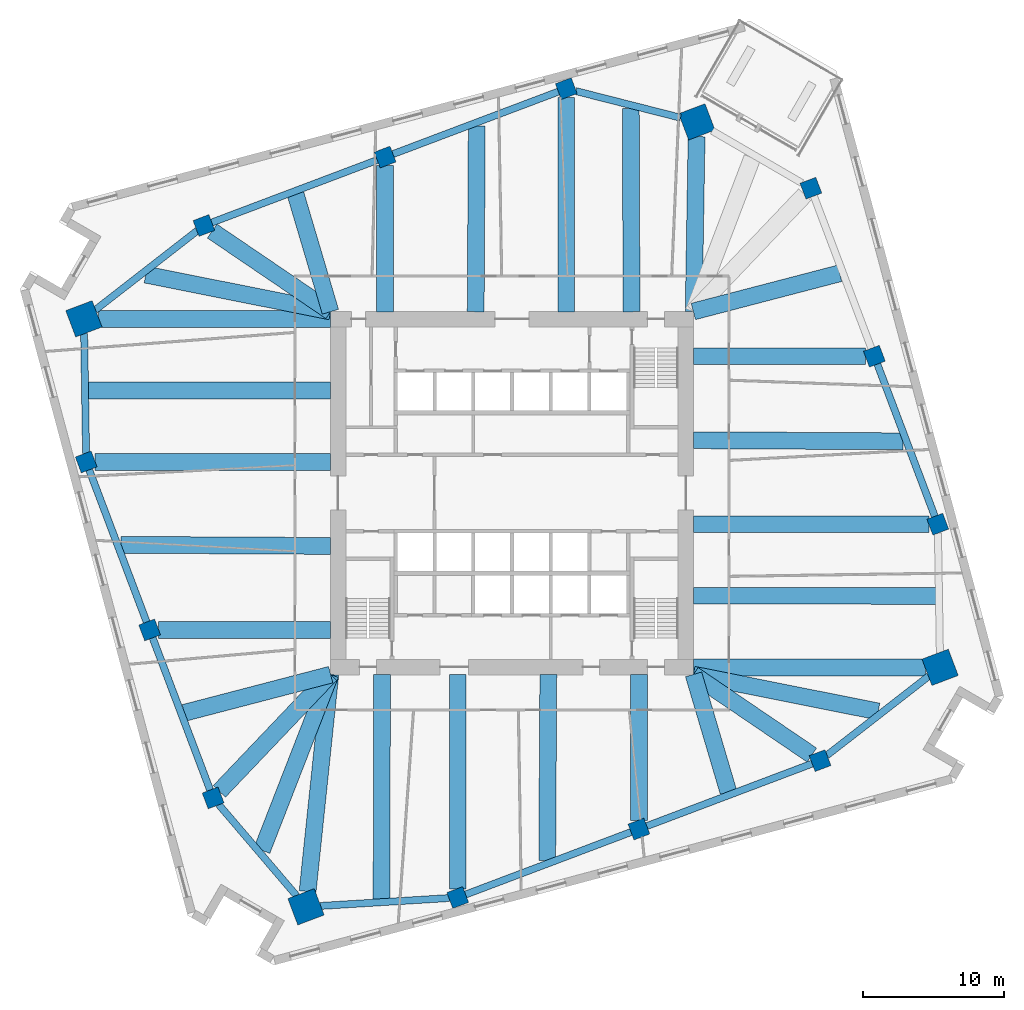
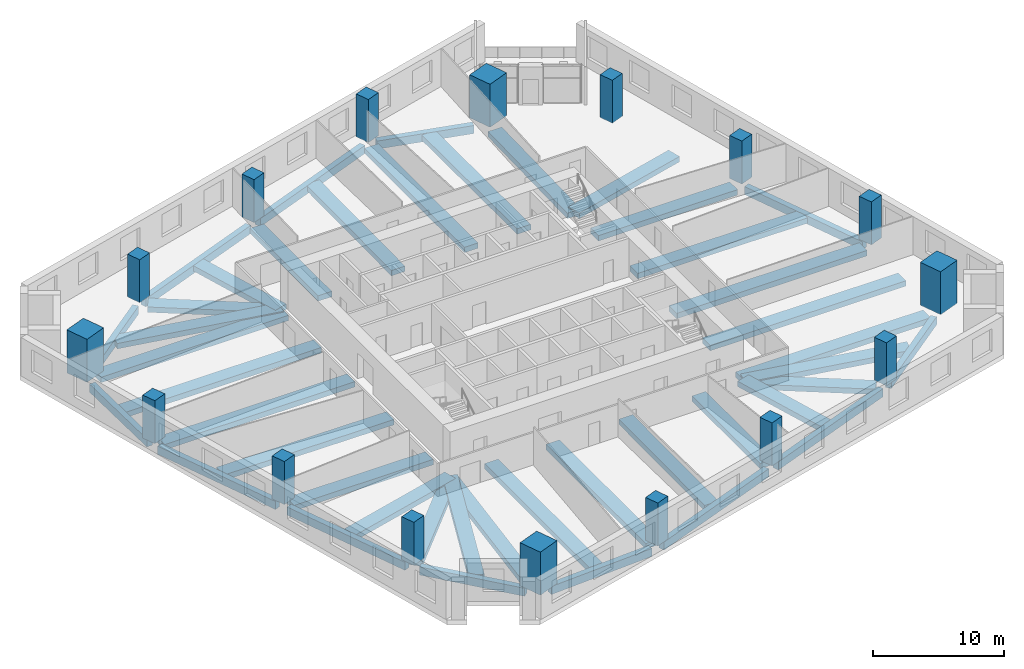
# One storey, part 1 of 13: 43 beams, 16 columns.
"""IFC4 building model written with IfcOpenShell, lengths in metres."""

from ifc_helpers import new_model, si_unit, direction, frame, origin, origin_2d, place, context, subcontext, project, spatial, rectangle, extrude, material, material_profile, profile_set, type_object, element, save


model = new_model("IFC4")

# Units and contexts
model_context = context("Model", 3, precision=1e-05, world=origin(), true_north=direction((0.0, 1.0)))
body_context = subcontext(model_context, "Body", "Model", "MODEL_VIEW")
ifc_project = project(units=[si_unit("LENGTHUNIT", "METRE"), si_unit("AREAUNIT", "SQUARE_METRE"), si_unit("VOLUMEUNIT", "CUBIC_METRE"), si_unit("PLANEANGLEUNIT", "RADIAN"), si_unit("MASSUNIT", "GRAM", prefix="KILO")], contexts=[model_context])

# Site, building, storey
site_placement = place(None, origin())
site = spatial("IfcSite", under=ifc_project, at=site_placement, CompositionType="ELEMENT")
building_placement = place(site_placement, origin())
building = spatial("IfcBuilding", under=site, at=building_placement, Name="Dilmun Exchange Tower", CompositionType="ELEMENT")
storey_placement = place(building_placement, frame((0.0, 0.0, 86.10009765625)))
storey = spatial("IfcBuildingStorey", under=building, at=storey_placement, Name="L19", CompositionType="ELEMENT", Elevation=86.10009765625)

# Columns
ifc_material_1 = material(Name="Concrete C70/85", Category="concrete")
ifc_material_profile_1 = material_profile(ifc_material_1, rectangle(XDim=2.0, YDim=2.0, at=origin_2d()), Name="2000 x 2000")
ifc_profile_set_1 = profile_set([ifc_material_profile_1], Name="Concrete C70/85")
column_type_1 = type_object("IfcColumnType", Name="RC mega column 2000 x 2000 C70/85", PredefinedType="COLUMN", material=ifc_profile_set_1)
for number, where, z_axis, x_axis, name in (
    (1, (13.1220703125, 26.35400390625, 0.0), (0.0, 0.0, 1.0), (0.935491525991, 0.353349125935, 0.0), "Mega column M1"),
    (2, (-30.39404296875, 12.37109375, 0.0), (0.0, 0.0, 1.0), (0.935491525991, 0.353349125935, 0.0), "Mega column M2"),
    (3, (-14.6259765625, -29.3759765625, 0.0), (0.0, 0.0, 1.0), (0.935491525991, 0.353349125935, 0.0), "Mega column M3"),
    (4, (30.39404296875, -12.37109375, 0.0), (0.0, 0.0, 1.0), (0.935491525991, 0.353349125935, 0.0), "Mega column M4"),
):
    element("IfcColumn", number, at=place(storey_placement, frame(where, z_axis=z_axis, x_axis=x_axis)), inside=storey, type_object=column_type_1, Name=name, PredefinedType="COLUMN", context=body_context, shape_type="SweptSolid", body=[
        extrude(rectangle(XDim=2.0, YDim=2.0, at=origin_2d()), origin(), (0.0, 0.0, 1.0), 4.0),
    ])
ifc_material_profile_2 = material_profile(ifc_material_1, rectangle(XDim=1.199951171875, YDim=1.199951171875, at=origin_2d()), Name="1200 x 1200")
ifc_profile_set_2 = profile_set([ifc_material_profile_2], Name="Concrete C70/85")
column_type_2 = type_object("IfcColumnType", Name="RC ring column 1200 x 1200 C70/85", PredefinedType="COLUMN", material=ifc_profile_set_2)
for number, where, z_axis, x_axis, name in (
    (5, (3.85302734375, 28.714111328125, 0.0), (0.0, 0.0, 1.0), (0.935491525991, 0.353349125935, 0.0), "Ring column R01"),
    (6, (-9.010009765625, 23.85498046875, 0.0), (0.0, 0.0, 1.0), (0.935491525991, 0.353349125935, 0.0), "Ring column R02"),
    (7, (-21.873046875, 18.99609375, 0.0), (0.0, 0.0, 1.0), (0.935491525991, 0.353349125935, 0.0), "Ring column R03"),
    (8, (-30.23095703125, 2.2099609375, 0.0), (0.0, 0.0, 1.0), (0.935491525991, 0.353349125935, 0.0), "Ring column R04"),
    (9, (-25.72607421875, -9.717041015625, 0.0), (0.0, 0.0, 1.0), (0.935491525991, 0.353349125935, 0.0), "Ring column R05"),
    (10, (-21.220947265625, -21.64501953125, 0.0), (0.0, 0.0, 1.0), (0.935491525991, 0.353349125935, 0.0), "Ring column R06"),
    (11, (-3.85302734375, -28.714111328125, 0.0), (0.0, 0.0, 1.0), (0.935491525991, 0.353349125935, 0.0), "Ring column R07"),
    (12, (9.010009765625, -23.85498046875, 0.0), (0.0, 0.0, 1.0), (0.935491525991, 0.353349125935, 0.0), "Ring column R08"),
    (13, (21.873046875, -18.99609375, 0.0), (0.0, 0.0, 1.0), (0.935491525991, 0.353349125935, 0.0), "Ring column R09"),
    (14, (30.23095703125, -2.2099609375, 0.0), (0.0, 0.0, 1.0), (0.935491525991, 0.353349125935, 0.0), "Ring column R10"),
    (15, (25.72607421875, 9.717041015625, 0.0), (0.0, 0.0, 1.0), (0.935491525991, 0.353349125935, 0.0), "Ring column R11"),
    (16, (21.220947265625, 21.64501953125, 0.0), (0.0, 0.0, 1.0), (0.935491525991, 0.353349125935, 0.0), "Ring column R12"),
):
    element("IfcColumn", number, at=place(storey_placement, frame(where, z_axis=z_axis, x_axis=x_axis)), inside=storey, type_object=column_type_2, Name=name, PredefinedType="COLUMN", context=body_context, shape_type="SweptSolid", body=[
        extrude(rectangle(XDim=1.199951171875, YDim=1.199951171875, at=origin_2d()), origin(), (0.0, 0.0, 1.0), 4.0),
    ])

# Beams
ifc_material_2 = material(Name="Concrete C40/50", Category="concrete")
ifc_material_profile_3 = material_profile(ifc_material_2, rectangle(XDim=1.199951171875, YDim=0.5, at=origin_2d()), Name="1200 x 500")
ifc_profile_set_3 = profile_set([ifc_material_profile_3], Name="Concrete C40/50")
beam_type_1 = type_object("IfcBeamType", Name="RC band beam 1200 x 500 C40/50", PredefinedType="BEAM", material=ifc_profile_set_3)
beam_1_placement = place(storey_placement, frame((13.104736328125, 25.305419921875, -0.77001953125), z_axis=(-0.016493249431, -0.99986397711, 0.0), x_axis=(0.99986397711, -0.016493249431, 0.0)))
element("IfcBeam", 17, at=beam_1_placement, inside=storey, type_object=beam_type_1, Name="Band beam 1", PredefinedType="BEAM", context=body_context, shape_type="SweptSolid", body=[
    extrude(rectangle(XDim=1.199951171875, YDim=0.5, at=origin_2d()), origin(), (0.0, 0.0, 1.0), 12.43408203125),
])
beam_2_placement = place(storey_placement, frame((3.85302734375, 28.099609375, -0.77001953125), z_axis=(0.0, -1.0, 0.0), x_axis=(1.0, 0.0, 0.0)))
element("IfcBeam", 18, at=beam_2_placement, inside=storey, type_object=beam_type_1, Name="Band beam 2", PredefinedType="BEAM", context=body_context, shape_type="SweptSolid", body=[
    extrude(rectangle(XDim=1.199951171875, YDim=0.5, at=origin_2d()), origin(), (0.0, 0.0, 1.0), 15.2265625),
])
beam_3_placement = place(storey_placement, frame((-9.010009765625, 23.240478515625, -0.77001953125), z_axis=(0.0, -1.0, 0.0), x_axis=(1.0, 0.0, 0.0)))
element("IfcBeam", 19, at=beam_3_placement, inside=storey, type_object=beam_type_1, Name="Band beam 3", PredefinedType="BEAM", context=body_context, shape_type="SweptSolid", body=[
    extrude(rectangle(XDim=1.199951171875, YDim=0.5, at=origin_2d()), origin(), (0.0, 0.0, 1.0), 10.367431640625),
])
beam_4_placement = place(storey_placement, frame((-21.28857421875, 18.59912109375, -0.77001953125), z_axis=(0.827157308771, -0.561970449888, 0.0), x_axis=(0.561970449888, 0.827157308771, 0.0)))
element("IfcBeam", 20, at=beam_4_placement, inside=storey, type_object=beam_type_1, Name="Band beam 4", PredefinedType="BEAM", context=body_context, shape_type="SweptSolid", body=[
    extrude(rectangle(XDim=1.199951171875, YDim=0.5, at=origin_2d()), origin(), (0.0, 0.0, 1.0), 10.16845703125),
])
beam_5_placement = place(storey_placement, frame((-29.35205078125, 12.37109375, -0.77001953125), z_axis=(1.0, 0.0, 0.0), x_axis=(0.0, 1.0, 0.0)))
element("IfcBeam", 21, at=beam_5_placement, inside=storey, type_object=beam_type_1, Name="Band beam 5", PredefinedType="BEAM", context=body_context, shape_type="SweptSolid", body=[
    extrude(rectangle(XDim=1.199951171875, YDim=0.5, at=origin_2d()), origin(), (0.0, 0.0, 1.0), 16.47900390625),
])
beam_6_placement = place(storey_placement, frame((-29.61669921875, 2.2099609375, -0.77001953125), z_axis=(1.0, 0.0, 0.0), x_axis=(0.0, 1.0, 0.0)))
element("IfcBeam", 22, at=beam_6_placement, inside=storey, type_object=beam_type_1, Name="Band beam 6", PredefinedType="BEAM", context=body_context, shape_type="SweptSolid", body=[
    extrude(rectangle(XDim=1.199951171875, YDim=0.5, at=origin_2d()), origin(), (0.0, 0.0, 1.0), 16.74365234375),
])
beam_7_placement = place(storey_placement, frame((-25.111572265625, -9.717041015625, -0.77001953125), z_axis=(1.0, 0.0, 0.0), x_axis=(0.0, 1.0, 0.0)))
element("IfcBeam", 23, at=beam_7_placement, inside=storey, type_object=beam_type_1, Name="Band beam 7", PredefinedType="BEAM", context=body_context, shape_type="SweptSolid", body=[
    extrude(rectangle(XDim=1.199951171875, YDim=0.5, at=origin_2d()), origin(), (0.0, 0.0, 1.0), 12.238525390625),
])
beam_8_placement = place(storey_placement, frame((-20.780517578125, -21.181884765625, -0.77001953125), z_axis=(0.689333244672, 0.724444392476, 0.0), x_axis=(-0.724444392476, 0.689333244672, 0.0)))
element("IfcBeam", 24, at=beam_8_placement, inside=storey, type_object=beam_type_1, Name="Band beam 8", PredefinedType="BEAM", context=body_context, shape_type="SweptSolid", body=[
    extrude(rectangle(XDim=1.199951171875, YDim=0.5, at=origin_2d()), origin(), (0.0, 0.0, 1.0), 11.459228515625),
])
beam_9_placement = place(storey_placement, frame((-14.51220703125, -28.289794921875, -0.77001953125), z_axis=(0.104185478447, 0.994557884731, 0.0), x_axis=(-0.994557884731, 0.104185478447, 0.0)))
element("IfcBeam", 25, at=beam_9_placement, inside=storey, type_object=beam_type_1, Name="Band beam 9", PredefinedType="BEAM", context=body_context, shape_type="SweptSolid", body=[
    extrude(rectangle(XDim=1.199951171875, YDim=0.5, at=origin_2d()), origin(), (0.0, 0.0, 1.0), 15.501220703125),
])
beam_10_placement = place(storey_placement, frame((-3.85302734375, -28.099609375, -0.77001953125), z_axis=(0.0, 1.0, 0.0), x_axis=(-1.0, 0.0, 0.0)))
element("IfcBeam", 26, at=beam_10_placement, inside=storey, type_object=beam_type_1, Name="Band beam 10", PredefinedType="BEAM", context=body_context, shape_type="SweptSolid", body=[
    extrude(rectangle(XDim=1.199951171875, YDim=0.5, at=origin_2d()), origin(), (0.0, 0.0, 1.0), 15.2265625),
])
beam_11_placement = place(storey_placement, frame((9.010009765625, -23.240478515625, -0.77001953125), z_axis=(0.0, 1.0, 0.0), x_axis=(-1.0, 0.0, 0.0)))
element("IfcBeam", 27, at=beam_11_placement, inside=storey, type_object=beam_type_1, Name="Band beam 11", PredefinedType="BEAM", context=body_context, shape_type="SweptSolid", body=[
    extrude(rectangle(XDim=1.199951171875, YDim=0.5, at=origin_2d()), origin(), (0.0, 0.0, 1.0), 10.367431640625),
])
beam_12_placement = place(storey_placement, frame((21.28857421875, -18.59912109375, -0.77001953125), z_axis=(-0.827157308771, 0.561970449888, 0.0), x_axis=(-0.561970449888, -0.827157308771, 0.0)))
element("IfcBeam", 28, at=beam_12_placement, inside=storey, type_object=beam_type_1, Name="Band beam 12", PredefinedType="BEAM", context=body_context, shape_type="SweptSolid", body=[
    extrude(rectangle(XDim=1.199951171875, YDim=0.5, at=origin_2d()), origin(), (0.0, 0.0, 1.0), 10.16845703125),
])
beam_13_placement = place(storey_placement, frame((29.35205078125, -12.37109375, -0.77001953125), z_axis=(-1.0, 0.0, 0.0), x_axis=(0.0, -1.0, 0.0)))
element("IfcBeam", 29, at=beam_13_placement, inside=storey, type_object=beam_type_1, Name="Band beam 13", PredefinedType="BEAM", context=body_context, shape_type="SweptSolid", body=[
    extrude(rectangle(XDim=1.199951171875, YDim=0.5, at=origin_2d()), origin(), (0.0, 0.0, 1.0), 16.47900390625),
])
beam_14_placement = place(storey_placement, frame((29.61669921875, -2.2099609375, -0.77001953125), z_axis=(-1.0, 0.0, 0.0), x_axis=(0.0, -1.0, 0.0)))
element("IfcBeam", 30, at=beam_14_placement, inside=storey, type_object=beam_type_1, Name="Band beam 14", PredefinedType="BEAM", context=body_context, shape_type="SweptSolid", body=[
    extrude(rectangle(XDim=1.199951171875, YDim=0.5, at=origin_2d()), origin(), (0.0, 0.0, 1.0), 16.74365234375),
])
beam_15_placement = place(storey_placement, frame((25.111572265625, 9.717041015625, -0.77001953125), z_axis=(-1.0, 0.0, 0.0), x_axis=(0.0, -1.0, 0.0)))
element("IfcBeam", 31, at=beam_15_placement, inside=storey, type_object=beam_type_1, Name="Band beam 15", PredefinedType="BEAM", context=body_context, shape_type="SweptSolid", body=[
    extrude(rectangle(XDim=1.199951171875, YDim=0.5, at=origin_2d()), origin(), (0.0, 0.0, 1.0), 12.238525390625),
])
beam_16_placement = place(storey_placement, frame((8.4326171875, 27.31787109375, -0.670166015625), z_axis=(0.003802832253, -0.999992769207, 0.0), x_axis=(0.999992769207, 0.003802832253, 0.0)))
element("IfcBeam", 32, at=beam_16_placement, inside=storey, type_object=beam_type_1, Name="Band beam 17", PredefinedType="BEAM", context=body_context, shape_type="SweptSolid", body=[
    extrude(rectangle(XDim=1.199951171875, YDim=0.5, at=origin_2d()), origin(), (0.0, 0.0, 1.0), 14.44482421875),
])
beam_17_placement = place(storey_placement, frame((-2.499755859375, 26.075927734375, -0.670166015625), z_axis=(-0.005972637047, -0.999982163644, 0.0), x_axis=(0.999982163644, -0.005972637047, 0.0)))
element("IfcBeam", 33, at=beam_17_placement, inside=storey, type_object=beam_type_1, Name="Band beam 18", PredefinedType="BEAM", context=body_context, shape_type="SweptSolid", body=[
    extrude(rectangle(XDim=1.199951171875, YDim=0.5, at=origin_2d()), origin(), (0.0, 0.0, 1.0), 13.203125),
])
beam_18_placement = place(storey_placement, frame((-15.36279296875, 21.216796875, -0.670166015625), z_axis=(0.283932601838, -0.958844240538, 0.0), x_axis=(0.958844240538, 0.283932601838, 0.0)))
element("IfcBeam", 34, at=beam_18_placement, inside=storey, type_object=beam_type_1, Name="Band beam 19", PredefinedType="BEAM", context=body_context, shape_type="SweptSolid", body=[
    extrude(rectangle(XDim=1.199951171875, YDim=0.5, at=origin_2d()), origin(), (0.0, 0.0, 1.0), 8.700927734375),
])
beam_19_placement = place(storey_placement, frame((-25.99658203125, 15.50732421875, -0.670166015625), z_axis=(0.980746640289, -0.19528447855, 0.0), x_axis=(0.19528447855, 0.980746640289, 0.0)))
element("IfcBeam", 35, at=beam_19_placement, inside=storey, type_object=beam_type_1, Name="Band beam 20", PredefinedType="BEAM", context=body_context, shape_type="SweptSolid", body=[
    extrude(rectangle(XDim=1.199951171875, YDim=0.5, at=origin_2d()), origin(), (0.0, 0.0, 1.0), 13.380615234375),
])
beam_20_placement = place(storey_placement, frame((-30.089599609375, 7.294189453125, -0.670166015625), z_axis=(0.999999977378, -0.000212708627, 0.0), x_axis=(0.000212708627, 0.999999977378, 0.0)))
element("IfcBeam", 36, at=beam_20_placement, inside=storey, type_object=beam_type_1, Name="Band beam 21", PredefinedType="BEAM", context=body_context, shape_type="SweptSolid", body=[
    extrude(rectangle(XDim=1.199951171875, YDim=0.5, at=origin_2d()), origin(), (0.0, 0.0, 1.0), 17.216552734375),
])
beam_21_placement = place(storey_placement, frame((-27.77001953125, -3.6748046875, -0.670166015625), z_axis=(0.999986076233, -0.005277057861, 0.0), x_axis=(0.005277057861, 0.999986076233, 0.0)))
element("IfcBeam", 37, at=beam_21_placement, inside=storey, type_object=beam_type_1, Name="Band beam 22", PredefinedType="BEAM", context=body_context, shape_type="SweptSolid", body=[
    extrude(rectangle(XDim=1.199951171875, YDim=0.5, at=origin_2d()), origin(), (0.0, 0.0, 1.0), 14.897216796875),
])
beam_22_placement = place(storey_placement, frame((-23.264892578125, -15.602294921875, -0.670166015625), z_axis=(0.967651305888, 0.252291399404, 0.0), x_axis=(-0.252291399404, 0.967651305888, 0.0)))
element("IfcBeam", 38, at=beam_22_placement, inside=storey, type_object=beam_type_1, Name="Band beam 23", PredefinedType="BEAM", context=body_context, shape_type="SweptSolid", body=[
    extrude(rectangle(XDim=1.199951171875, YDim=0.5, at=origin_2d()), origin(), (0.0, 0.0, 1.0), 10.738525390625),
])
beam_23_placement = place(storey_placement, frame((-17.75390625, -25.36572265625, -0.670166015625), z_axis=(0.362868113779, 0.931840507814, 0.0), x_axis=(-0.931840507814, 0.362868113779, 0.0)))
element("IfcBeam", 39, at=beam_23_placement, inside=storey, type_object=beam_type_1, Name="Band beam 24", PredefinedType="BEAM", context=body_context, shape_type="SweptSolid", body=[
    extrude(rectangle(XDim=1.199951171875, YDim=0.5, at=origin_2d()), origin(), (0.0, 0.0, 1.0), 13.404296875),
])
beam_24_placement = place(storey_placement, frame((-9.253173828125, -28.822509765625, -0.670166015625), z_axis=(0.000857199397, 0.999999632605, 0.0), x_axis=(-0.999999632605, 0.000857199397, 0.0)))
element("IfcBeam", 40, at=beam_24_placement, inside=storey, type_object=beam_type_1, Name="Band beam 25", PredefinedType="BEAM", context=body_context, shape_type="SweptSolid", body=[
    extrude(rectangle(XDim=1.199951171875, YDim=0.5, at=origin_2d()), origin(), (0.0, 0.0, 1.0), 15.949462890625),
])
beam_25_placement = place(storey_placement, frame((2.499755859375, -26.075927734375, -0.670166015625), z_axis=(0.005972637047, 0.999982163644, 0.0), x_axis=(-0.999982163644, 0.005972637047, 0.0)))
element("IfcBeam", 41, at=beam_25_placement, inside=storey, type_object=beam_type_1, Name="Band beam 26", PredefinedType="BEAM", context=body_context, shape_type="SweptSolid", body=[
    extrude(rectangle(XDim=1.199951171875, YDim=0.5, at=origin_2d()), origin(), (0.0, 0.0, 1.0), 13.203125),
])
beam_26_placement = place(storey_placement, frame((15.36279296875, -21.216796875, -0.670166015625), z_axis=(-0.283932601838, 0.958844240538, 0.0), x_axis=(-0.958844240538, -0.283932601838, 0.0)))
element("IfcBeam", 42, at=beam_26_placement, inside=storey, type_object=beam_type_1, Name="Band beam 27", PredefinedType="BEAM", context=body_context, shape_type="SweptSolid", body=[
    extrude(rectangle(XDim=1.199951171875, YDim=0.5, at=origin_2d()), origin(), (0.0, 0.0, 1.0), 8.700927734375),
])
beam_27_placement = place(storey_placement, frame((25.99658203125, -15.50732421875, -0.670166015625), z_axis=(-0.980746640289, 0.19528447855, 0.0), x_axis=(-0.19528447855, -0.980746640289, 0.0)))
element("IfcBeam", 43, at=beam_27_placement, inside=storey, type_object=beam_type_1, Name="Band beam 28", PredefinedType="BEAM", context=body_context, shape_type="SweptSolid", body=[
    extrude(rectangle(XDim=1.199951171875, YDim=0.5, at=origin_2d()), origin(), (0.0, 0.0, 1.0), 13.380615234375),
])
beam_28_placement = place(storey_placement, frame((30.089599609375, -7.294189453125, -0.670166015625), z_axis=(-0.999999977378, 0.000212708627, 0.0), x_axis=(-0.000212708627, -0.999999977378, 0.0)))
element("IfcBeam", 44, at=beam_28_placement, inside=storey, type_object=beam_type_1, Name="Band beam 29", PredefinedType="BEAM", context=body_context, shape_type="SweptSolid", body=[
    extrude(rectangle(XDim=1.199951171875, YDim=0.5, at=origin_2d()), origin(), (0.0, 0.0, 1.0), 17.216552734375),
])
beam_29_placement = place(storey_placement, frame((27.77001953125, 3.6748046875, -0.670166015625), z_axis=(-0.999986076233, 0.005277057861, 0.0), x_axis=(-0.005277057861, -0.999986076233, 0.0)))
element("IfcBeam", 45, at=beam_29_placement, inside=storey, type_object=beam_type_1, Name="Band beam 30", PredefinedType="BEAM", context=body_context, shape_type="SweptSolid", body=[
    extrude(rectangle(XDim=1.199951171875, YDim=0.5, at=origin_2d()), origin(), (0.0, 0.0, 1.0), 14.897216796875),
])
beam_30_placement = place(storey_placement, frame((23.264892578125, 15.602294921875, -0.670166015625), z_axis=(-0.967651305888, -0.252291399404, 0.0), x_axis=(0.252291399404, -0.967651305888, 0.0)))
element("IfcBeam", 46, at=beam_30_placement, inside=storey, type_object=beam_type_1, Name="Band beam 31", PredefinedType="BEAM", context=body_context, shape_type="SweptSolid", body=[
    extrude(rectangle(XDim=1.199951171875, YDim=0.5, at=origin_2d()), origin(), (0.0, 0.0, 1.0), 10.738525390625),
])
ifc_material_profile_4 = material_profile(ifc_material_2, rectangle(XDim=0.5, YDim=0.75, at=origin_2d()), Name="500 x 750")
ifc_profile_set_4 = profile_set([ifc_material_profile_4], Name="Concrete C40/50")
beam_type_2 = type_object("IfcBeamType", Name="RC ring beam 500 x 750 C40/50", PredefinedType="SPANDREL", material=ifc_profile_set_4)
beam_31_placement = place(storey_placement, frame((11.965576171875, 26.6484375, -0.795166015625), z_axis=(-0.969078622485, 0.246752149825, 0.0), x_axis=(-0.246752149825, -0.969078622485, 0.0)))
element("IfcBeam", 47, at=beam_31_placement, inside=storey, type_object=beam_type_2, Name="Ring beam 1", PredefinedType="SPANDREL", context=body_context, shape_type="SweptSolid", body=[
    extrude(rectangle(XDim=0.5, YDim=0.75, at=origin_2d()), origin(), (0.0, 0.0, 1.0), 7.666015625),
])
for number, where, z_axis, x_axis, name in (
    (48, (3.31689453125, 28.511474609375, -0.795166015625), (-0.935485896268, -0.353364030264, 0.0), (0.353364030264, -0.935485896268, 0.0), "Ring beam 2"),
    (49, (-9.5458984375, 23.652587890625, -0.795166015625), (-0.935479493126, -0.353380981294, 0.0), (0.353380981294, -0.935479493126, 0.0), "Ring beam 3"),
):
    element("IfcBeam", number, at=place(storey_placement, frame(where, z_axis=z_axis, x_axis=x_axis)), inside=storey, type_object=beam_type_2, Name=name, PredefinedType="SPANDREL", context=body_context, shape_type="SweptSolid", body=[
        extrude(rectangle(XDim=0.5, YDim=0.75, at=origin_2d()), origin(), (0.0, 0.0, 1.0), 12.604248046875),
    ])
beam_32_placement = place(storey_placement, frame((-22.347412109375, 18.627197265625, -0.795166015625), z_axis=(-0.789461122688, -0.613800566767, 0.0), x_axis=(0.613800566767, -0.789461122688, 0.0)))
element("IfcBeam", 50, at=beam_32_placement, inside=storey, type_object=beam_type_2, Name="Ring beam 4", PredefinedType="SPANDREL", context=body_context, shape_type="SweptSolid", body=[
    extrude(rectangle(XDim=0.5, YDim=0.75, at=origin_2d()), origin(), (0.0, 0.0, 1.0), 9.1728515625),
])
beam_33_placement = place(storey_placement, frame((-30.37744140625, 11.33544921875, -0.795166015625), z_axis=(0.016054357527, -0.999871120497, 0.0), x_axis=(0.999871120497, 0.016054357527, 0.0)))
element("IfcBeam", 51, at=beam_33_placement, inside=storey, type_object=beam_type_2, Name="Ring beam 5", PredefinedType="SPANDREL", context=body_context, shape_type="SweptSolid", body=[
    extrude(rectangle(XDim=0.5, YDim=0.75, at=origin_2d()), origin(), (0.0, 0.0, 1.0), 8.515869140625),
])
beam_34_placement = place(storey_placement, frame((-30.028564453125, 1.674072265625, -0.795166015625), z_axis=(0.353349831573, -0.935491259461, 0.0), x_axis=(0.935491259461, 0.353349831573, 0.0)))
element("IfcBeam", 52, at=beam_34_placement, inside=storey, type_object=beam_type_2, Name="Ring beam 6", PredefinedType="SPANDREL", context=body_context, shape_type="SweptSolid", body=[
    extrude(rectangle(XDim=0.5, YDim=0.75, at=origin_2d()), origin(), (0.0, 0.0, 1.0), 11.603515625),
])
beam_35_placement = place(storey_placement, frame((-25.5234375, -10.2529296875, -0.795166015625), z_axis=(0.353303601311, -0.935508720056, 0.0), x_axis=(0.935508720056, 0.353303601311, 0.0)))
element("IfcBeam", 53, at=beam_35_placement, inside=storey, type_object=beam_type_2, Name="Ring beam 7", PredefinedType="SPANDREL", context=body_context, shape_type="SweptSolid", body=[
    extrude(rectangle(XDim=0.5, YDim=0.75, at=origin_2d()), origin(), (0.0, 0.0, 1.0), 11.604248046875),
])
beam_36_placement = place(storey_placement, frame((-20.82470703125, -22.109619140625, -0.795166015625), z_axis=(0.64900225023, -0.76078648726, 0.0), x_axis=(0.76078648726, 0.64900225023, 0.0)))
element("IfcBeam", 54, at=beam_36_placement, inside=storey, type_object=beam_type_2, Name="Ring beam 8", PredefinedType="SPANDREL", context=body_context, shape_type="SweptSolid", body=[
    extrude(rectangle(XDim=0.5, YDim=0.75, at=origin_2d()), origin(), (0.0, 0.0, 1.0), 8.515625),
])
beam_37_placement = place(storey_placement, frame((-13.608154296875, -29.3134765625, -0.795166015625), z_axis=(0.998117890072, 0.061324363166, 0.0), x_axis=(-0.061324363166, 0.998117890072, 0.0)))
element("IfcBeam", 55, at=beam_37_placement, inside=storey, type_object=beam_type_2, Name="Ring beam 9", PredefinedType="SPANDREL", context=body_context, shape_type="SweptSolid", body=[
    extrude(rectangle(XDim=0.5, YDim=0.75, at=origin_2d()), origin(), (0.0, 0.0, 1.0), 9.172607421875),
])
for number, where, z_axis, x_axis, name in (
    (56, (-3.31689453125, -28.511474609375, -0.795166015625), (0.935485896268, 0.353364030264, 0.0), (-0.353364030264, 0.935485896268, 0.0), "Ring beam 10"),
    (57, (9.5458984375, -23.652587890625, -0.795166015625), (0.935479493126, 0.353380981294, 0.0), (-0.353380981294, 0.935479493126, 0.0), "Ring beam 11"),
):
    element("IfcBeam", number, at=place(storey_placement, frame(where, z_axis=z_axis, x_axis=x_axis)), inside=storey, type_object=beam_type_2, Name=name, PredefinedType="SPANDREL", context=body_context, shape_type="SweptSolid", body=[
        extrude(rectangle(XDim=0.5, YDim=0.75, at=origin_2d()), origin(), (0.0, 0.0, 1.0), 12.604248046875),
    ])
beam_38_placement = place(storey_placement, frame((22.347412109375, -18.627197265625, -0.795166015625), z_axis=(0.789461122688, 0.613800566767, 0.0), x_axis=(-0.613800566767, 0.789461122688, 0.0)))
element("IfcBeam", 58, at=beam_38_placement, inside=storey, type_object=beam_type_2, Name="Ring beam 12", PredefinedType="SPANDREL", context=body_context, shape_type="SweptSolid", body=[
    extrude(rectangle(XDim=0.5, YDim=0.75, at=origin_2d()), origin(), (0.0, 0.0, 1.0), 9.1728515625),
])
beam_39_placement = place(storey_placement, frame((30.028564453125, -1.674072265625, -0.795166015625), z_axis=(-0.353349831573, 0.935491259461, 0.0), x_axis=(-0.935491259461, -0.353349831573, 0.0)))
element("IfcBeam", 59, at=beam_39_placement, inside=storey, type_object=beam_type_2, Name="Ring beam 14", PredefinedType="SPANDREL", context=body_context, shape_type="SweptSolid", body=[
    extrude(rectangle(XDim=0.5, YDim=0.75, at=origin_2d()), origin(), (0.0, 0.0, 1.0), 11.603515625),
])

save(model, "model.ifc")
